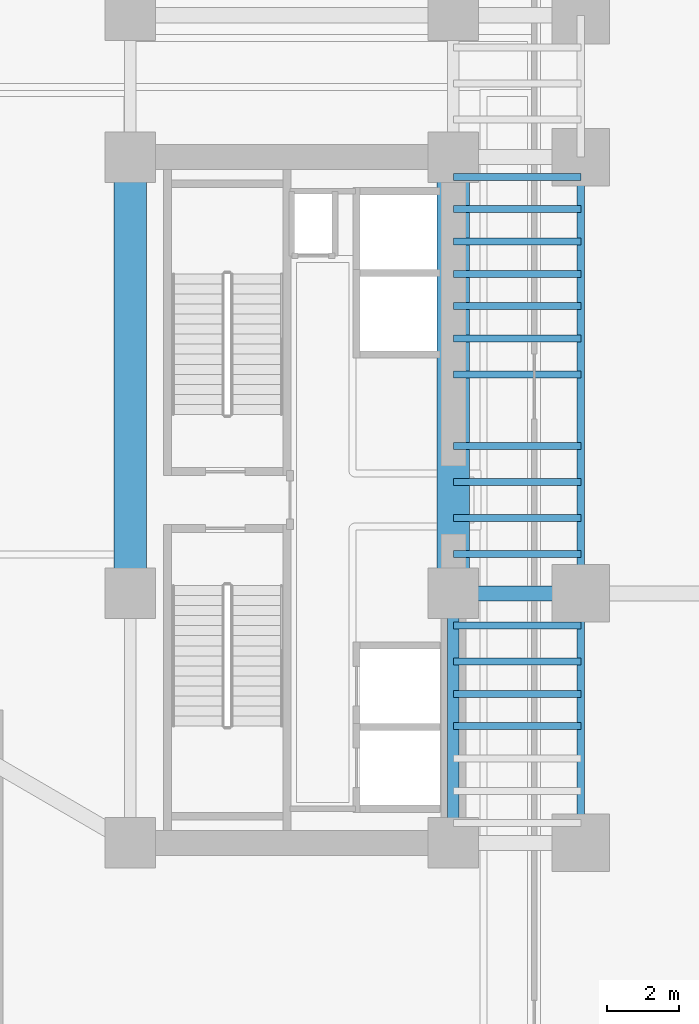
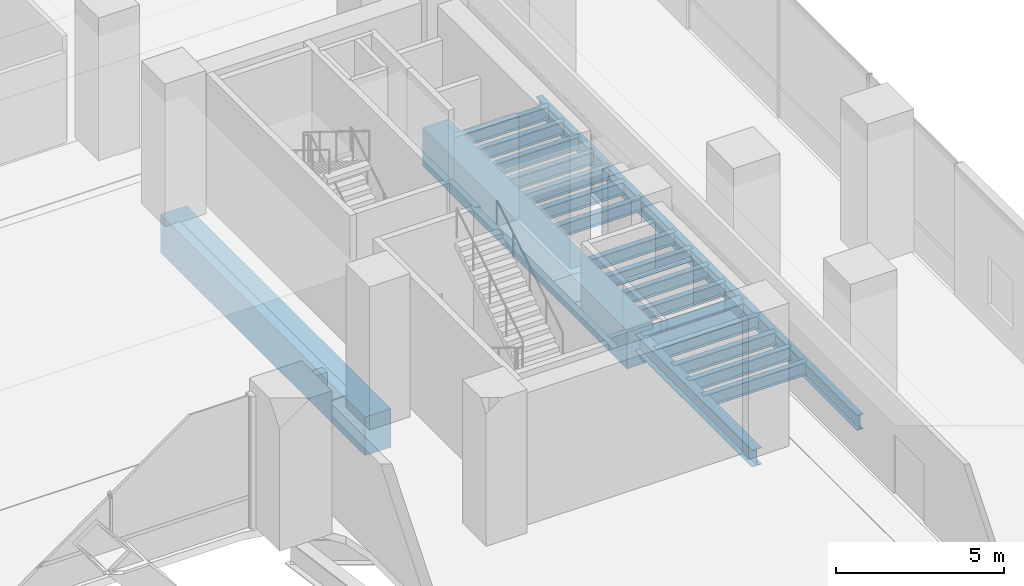
# One storey, part 11 of 39: 21 beams.
"""IFC4 building model written with IfcOpenShell, lengths in metres."""

from ifc_helpers import new_model, si_unit, direction, frame, origin, origin_2d, place, context, subcontext, project, spatial, rectangle, i_section, extrude, source, transform, mapped, material, material_profile, profile_set, type_object, element, save


model = new_model("IFC4")

# Units and contexts
model_context = context("Model", 3, precision=1e-05, world=origin(), true_north=direction((0.0, 1.0)))
body_context = subcontext(model_context, "Body", "Model", "MODEL_VIEW")
ifc_project = project(units=[si_unit("LENGTHUNIT", "METRE"), si_unit("AREAUNIT", "SQUARE_METRE"), si_unit("VOLUMEUNIT", "CUBIC_METRE"), si_unit("PLANEANGLEUNIT", "RADIAN"), si_unit("MASSUNIT", "GRAM", prefix="KILO")], contexts=[model_context])

# Site, building, storey
site_placement = place(None, origin())
site = spatial("IfcSite", under=ifc_project, at=site_placement, CompositionType="ELEMENT")
building_placement = place(site_placement, origin())
building = spatial("IfcBuilding", under=site, at=building_placement, Name="Valdorenza Pilgrim Sanctuary Tower", CompositionType="ELEMENT")
storey_placement = place(building_placement, frame((0.0, 0.0, 15.60009765625)))
storey = spatial("IfcBuildingStorey", under=building, at=storey_placement, Name="L03", CompositionType="ELEMENT", Elevation=15.60009765625)

# Beams
ifc_material_1 = material(Name="Concrete C60/75", Category="concrete")
ifc_material_profile_1 = material_profile(ifc_material_1, rectangle(XDim=0.89990234375, YDim=1.39990234375, at=origin_2d()), Name="RC 1400x900")
ifc_profile_set_1 = profile_set([ifc_material_profile_1], Name="Concrete C60/75")
beam_type_1 = type_object("IfcBeamType", Name="STR-BM-LNT-1400", PredefinedType="LINTEL", material=ifc_profile_set_1)
shared_shape_1 = source(origin(), body_context, "Body", "SweptSolid", [
    extrude(rectangle(XDim=0.89990234375, YDim=1.39990234375, at=origin_2d()), origin(), (0.0, 0.0, 1.0), 12.150146484375),
])
for number, where, z_axis, x_axis, name in (
    (1, (15.85009765625, -2.60009765625, -0.739990234375), (0.0, 1.0, 0.0), (-1.0, 0.0, 0.0), "L03 Core B West Coupling Lintel Girder"),
    (2, (24.85009765625, -2.60009765625, -0.739990234375), (0.0, 1.0, 0.0), (-1.0, 0.0, 0.0), "L03 Core B East Coupling Lintel Girder"),
):
    element("IfcBeam", number, at=place(storey_placement, frame(where, z_axis=z_axis, x_axis=x_axis)), inside=storey, type_object=beam_type_1, Name=name, PredefinedType="LINTEL", context=body_context, shape_type="MappedRepresentation", body=[
        mapped(shared_shape_1, transform((0.0, 0.0, 0.0), x_axis=(1.0, 0.0, 0.0), y_axis=(0.0, 1.0, 0.0), z_axis=(0.0, 0.0, 1.0), scale=1.0)),
    ])
ifc_material_2 = material(Name="Steel ASTM A992 Grade 50", Category="steel")
ifc_material_profile_2 = material_profile(ifc_material_2, i_section(OverallWidth=0.423095703125, OverallDepth=0.947998046875, WebThickness=0.02392578125, FlangeThickness=0.042724609375, at=origin_2d()), Name="W36X302")
ifc_profile_set_2 = profile_set([ifc_material_profile_2], Name="Steel ASTM A992 Grade 50")
beam_type_2 = type_object("IfcBeamType", Name="STR-BM-GRD-W36A", PredefinedType="BEAM", material=ifc_profile_set_2)
shared_shape_2 = source(origin(), body_context, "Body", "SweptSolid", [
    extrude(i_section(OverallWidth=0.423095703125, OverallDepth=0.947998046875, WebThickness=0.02392578125, FlangeThickness=0.042724609375, at=origin_2d()), origin(), (0.0, 0.0, 1.0), 3.5498046875),
])
beam_1_placement = place(storey_placement, frame((24.85009765625, -2.60009765625, -0.754150390625), z_axis=(1.0, 0.0, 0.0), x_axis=(0.0, 1.0, 0.0)))
element("IfcBeam", 3, at=beam_1_placement, inside=storey, type_object=beam_type_2, Name="L03 Floor Girder WB-XE-M0", PredefinedType="BEAM", context=body_context, shape_type="MappedRepresentation", body=[
    mapped(shared_shape_2, transform((0.0, 0.0, 0.0), x_axis=(1.0, 0.0, 0.0), y_axis=(0.0, 1.0, 0.0), z_axis=(0.0, 0.0, 1.0), scale=1.0)),
])
ifc_material_profile_3 = material_profile(ifc_material_2, i_section(OverallWidth=0.323974609375, OverallDepth=0.611083984375, WebThickness=0.0126953125, FlangeThickness=0.01904296875, at=origin_2d()), Name="W24X104")
ifc_profile_set_3 = profile_set([ifc_material_profile_3], Name="Steel ASTM A992 Grade 50")
beam_type_3 = type_object("IfcBeamType", Name="STR-BM-GRD-W24B", PredefinedType="BEAM", material=ifc_profile_set_3)
shared_shape_3 = source(origin(), body_context, "Body", "SweptSolid", [
    extrude(i_section(OverallWidth=0.323974609375, OverallDepth=0.611083984375, WebThickness=0.0126953125, FlangeThickness=0.01904296875, at=origin_2d()), origin(), (0.0, 0.0, 1.0), 6.949951171875),
])
beam_2_placement = place(storey_placement, frame((24.85009765625, -9.550048828125, -0.585693359375), z_axis=(0.0, 1.0, 0.0), x_axis=(-1.0, 0.0, 0.0)))
element("IfcBeam", 4, at=beam_2_placement, inside=storey, type_object=beam_type_3, Name="L03 Core Tie Girder CB-E-S1M0", PredefinedType="BEAM", context=body_context, shape_type="MappedRepresentation", body=[
    mapped(shared_shape_3, transform((0.0, 0.0, 0.0), x_axis=(1.0, 0.0, 0.0), y_axis=(0.0, 1.0, 0.0), z_axis=(0.0, 0.0, 1.0), scale=1.0)),
])
ifc_material_profile_4 = material_profile(ifc_material_2, i_section(OverallWidth=0.214111328125, OverallDepth=0.549072265625, WebThickness=0.0146484375, FlangeThickness=0.023681640625, at=origin_2d()), Name="W21X93")
ifc_profile_set_4 = profile_set([ifc_material_profile_4], Name="Steel ASTM A992 Grade 50")
beam_type_4 = type_object("IfcBeamType", Name="STR-BM-SPN-W21A", PredefinedType="SPANDREL", material=ifc_profile_set_4)
shared_shape_4 = source(origin(), body_context, "Body", "SweptSolid", [
    extrude(i_section(OverallWidth=0.214111328125, OverallDepth=0.549072265625, WebThickness=0.0146484375, FlangeThickness=0.023681640625, at=origin_2d()), origin(), (0.0, 0.0, 1.0), 6.949951171875),
])
beam_3_placement = place(storey_placement, frame((28.39990234375, -9.550048828125, -0.5546875), z_axis=(0.0, 1.0, 0.0), x_axis=(-1.0, 0.0, 0.0)))
element("IfcBeam", 5, at=beam_3_placement, inside=storey, type_object=beam_type_4, Name="L03 Spandrel Beam WB-E-S1M0", PredefinedType="SPANDREL", context=body_context, shape_type="MappedRepresentation", body=[
    mapped(shared_shape_4, transform((0.0, 0.0, 0.0), x_axis=(1.0, 0.0, 0.0), y_axis=(0.0, 1.0, 0.0), z_axis=(0.0, 0.0, 1.0), scale=1.0)),
])
shared_shape_5 = source(origin(), body_context, "Body", "SweptSolid", [
    extrude(i_section(OverallWidth=0.214111328125, OverallDepth=0.549072265625, WebThickness=0.0146484375, FlangeThickness=0.023681640625, at=origin_2d()), origin(), (0.0, 0.0, 1.0), 12.150146484375),
])
beam_4_placement = place(storey_placement, frame((28.39990234375, -2.60009765625, -0.5546875), z_axis=(0.0, 1.0, 0.0), x_axis=(-1.0, 0.0, 0.0)))
element("IfcBeam", 6, at=beam_4_placement, inside=storey, type_object=beam_type_4, Name="L03 Spandrel Beam WB-E-M0N1", PredefinedType="SPANDREL", context=body_context, shape_type="MappedRepresentation", body=[
    mapped(shared_shape_5, transform((0.0, 0.0, 0.0), x_axis=(1.0, 0.0, 0.0), y_axis=(0.0, 1.0, 0.0), z_axis=(0.0, 0.0, 1.0), scale=1.0)),
])
ifc_material_profile_5 = material_profile(ifc_material_2, i_section(OverallWidth=0.193115234375, OverallDepth=0.466064453125, WebThickness=0.011474609375, FlangeThickness=0.01904296875, at=origin_2d()), Name="W18X65")
ifc_profile_set_5 = profile_set([ifc_material_profile_5], Name="Steel ASTM A992 Grade 50")
beam_type_5 = type_object("IfcBeamType", Name="STR-BM-JST-W18A", PredefinedType="JOIST", material=ifc_profile_set_5)
shared_shape_6 = source(origin(), body_context, "Body", "SweptSolid", [
    extrude(i_section(OverallWidth=0.193115234375, OverallDepth=0.466064453125, WebThickness=0.011474609375, FlangeThickness=0.01904296875, at=origin_2d()), origin(), (0.0, 0.0, 1.0), 3.5498046875),
])
for number, where, z_axis, x_axis, name in (
    (7, (24.85009765625, -6.300048828125, -0.51318359375), (1.0, 0.0, 0.0), (0.0, 1.0, 0.0), "L03 Composite Floor Joist JST-WB-4"),
    (8, (24.85009765625, -5.39990234375, -0.51318359375), (1.0, 0.0, 0.0), (0.0, 1.0, 0.0), "L03 Composite Floor Joist JST-WB-5"),
    (9, (24.85009765625, -4.5, -0.51318359375), (1.0, 0.0, 0.0), (0.0, 1.0, 0.0), "L03 Composite Floor Joist JST-WB-6"),
    (10, (24.85009765625, -3.5, -0.51318359375), (1.0, 0.0, 0.0), (0.0, 1.0, 0.0), "L03 Composite Floor Joist JST-WB-7"),
    (11, (24.85009765625, -1.5, -0.51318359375), (1.0, 0.0, 0.0), (0.0, 1.0, 0.0), "L03 Composite Floor Joist JST-WB-8"),
    (12, (24.85009765625, -0.5, -0.51318359375), (1.0, 0.0, 0.0), (0.0, 1.0, 0.0), "L03 Composite Floor Joist JST-WB-9"),
    (13, (24.85009765625, 0.5, -0.51318359375), (1.0, 0.0, 0.0), (0.0, 1.0, 0.0), "L03 Composite Floor Joist JST-WB-10"),
    (14, (24.85009765625, 1.5, -0.51318359375), (1.0, 0.0, 0.0), (0.0, 1.0, 0.0), "L03 Composite Floor Joist JST-WB-11"),
    (15, (24.85009765625, 3.5, -0.51318359375), (1.0, 0.0, 0.0), (0.0, 1.0, 0.0), "L03 Composite Floor Joist JST-WB-12"),
    (16, (24.85009765625, 4.5, -0.51318359375), (1.0, 0.0, 0.0), (0.0, 1.0, 0.0), "L03 Composite Floor Joist JST-WB-13"),
    (17, (24.85009765625, 5.39990234375, -0.51318359375), (1.0, 0.0, 0.0), (0.0, 1.0, 0.0), "L03 Composite Floor Joist JST-WB-14"),
    (18, (24.85009765625, 6.300048828125, -0.51318359375), (1.0, 0.0, 0.0), (0.0, 1.0, 0.0), "L03 Composite Floor Joist JST-WB-15"),
    (19, (24.85009765625, 7.199951171875, -0.51318359375), (1.0, 0.0, 0.0), (0.0, 1.0, 0.0), "L03 Composite Floor Joist JST-WB-16"),
    (20, (24.85009765625, 8.10009765625, -0.51318359375), (1.0, 0.0, 0.0), (0.0, 1.0, 0.0), "L03 Composite Floor Joist JST-WB-17"),
    (21, (24.85009765625, 9.0, -0.51318359375), (1.0, 0.0, 0.0), (0.0, 1.0, 0.0), "L03 Composite Floor Joist JST-WB-18"),
):
    element("IfcBeam", number, at=place(storey_placement, frame(where, z_axis=z_axis, x_axis=x_axis)), inside=storey, type_object=beam_type_5, Name=name, PredefinedType="JOIST", context=body_context, shape_type="MappedRepresentation", body=[
        mapped(shared_shape_6, transform((0.0, 0.0, 0.0), x_axis=(1.0, 0.0, 0.0), y_axis=(0.0, 1.0, 0.0), z_axis=(0.0, 0.0, 1.0), scale=1.0)),
    ])

save(model, "model.ifc")
